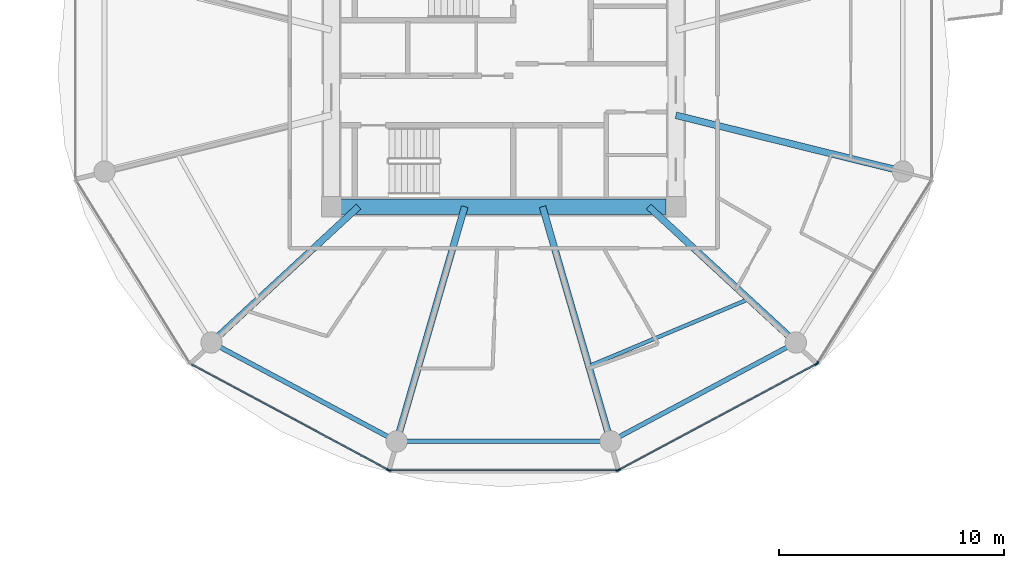
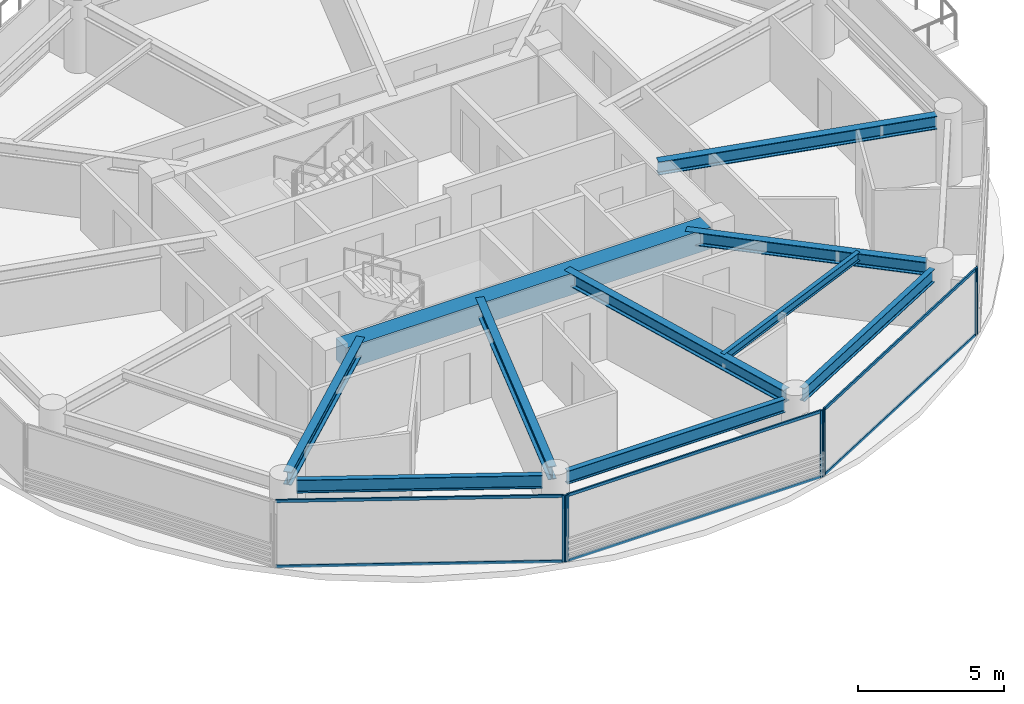
# One storey, part 10 of 26: 12 members, 10 beams, 4 elements without a shape of their own.
"""IFC4 building model written with IfcOpenShell, lengths in metres."""

from ifc_helpers import new_model, si_unit, direction, frame, origin, origin_2d, place, context, subcontext, project, spatial, rectangle, i_section, extrude, source, transform, mapped, material, layer, layer_set, material_profile, profile_set, type_object, type_shapes, element, aggregate, save


model = new_model("IFC4")

# Units and contexts
model_context = context("Model", 3, precision=1e-05, world=origin(), true_north=direction((0.0, 1.0)))
body_context = subcontext(model_context, "Body", "Model", "MODEL_VIEW")
ifc_project = project(units=[si_unit("LENGTHUNIT", "METRE"), si_unit("AREAUNIT", "SQUARE_METRE"), si_unit("VOLUMEUNIT", "CUBIC_METRE"), si_unit("PLANEANGLEUNIT", "RADIAN"), si_unit("MASSUNIT", "GRAM", prefix="KILO")], contexts=[model_context])

# Site, building, storey
site_placement = place(None, origin())
site = spatial("IfcSite", under=ifc_project, at=site_placement, CompositionType="ELEMENT")
building_placement = place(site_placement, origin())
building = spatial("IfcBuilding", under=site, at=building_placement, Name="Norrkilde Senior Care Towers", CompositionType="ELEMENT")
storey_placement = place(building_placement, frame((0.0, 0.0, 55.14990234375)))
storey = spatial("IfcBuildingStorey", under=building, at=storey_placement, Name="L16", CompositionType="ELEMENT", Elevation=55.14990234375)

# Beams
ifc_material_1 = material(Name="Concrete C60/75", Category="concrete")
ifc_material_profile_1 = material_profile(ifc_material_1, rectangle(XDim=0.699951171875, YDim=0.89990234375, at=origin_2d()), Name="RC BM 700x900")
ifc_profile_set_1 = profile_set([ifc_material_profile_1], Name="Concrete C60/75")
beam_type_1 = type_object("IfcBeamType", Name="Core Coupling Girder 700x900", PredefinedType="USERDEFINED", material=ifc_profile_set_1)
shared_shape_1 = source(origin(), body_context, "Body", "SweptSolid", [
    extrude(rectangle(XDim=0.699951171875, YDim=0.89990234375, at=origin_2d()), origin(), (0.0, 0.0, 1.0), 14.43994140625),
])
type_shapes(beam_type_1, [shared_shape_1])
beam_1_placement = place(storey_placement, frame((20.780029296875, -5.949951171875, 2.340087890625), z_axis=(1.0, 0.0, 0.0), x_axis=(0.0, 1.0, 0.0)))
element("IfcBeam", 1, at=beam_1_placement, inside=storey, type_object=beam_type_1, Name="L16 Core E S Coupling Girder", ObjectType="GIRDER", PredefinedType="USERDEFINED", context=body_context, shape_type="MappedRepresentation", body=[
    mapped(shared_shape_1, transform((0.0, 0.0, 0.0), x_axis=(1.0, 0.0, 0.0), y_axis=(0.0, 1.0, 0.0), z_axis=(0.0, 0.0, 1.0), scale=1.0)),
])
ifc_material_2 = material(Name="Steel S355", Category="steel")
ifc_material_profile_2 = material_profile(ifc_material_2, i_section(OverallWidth=0.300048828125, OverallDepth=0.550048828125, WebThickness=0.014892578125, FlangeThickness=0.029052734375, FilletRadius=0.027099609375, at=origin_2d()), Name="HEB 550")
ifc_profile_set_2 = profile_set([ifc_material_profile_2], Name="Steel S355")
beam_type_2 = type_object("IfcBeamType", Name="Radial Floor Beam Z1 HEB550", PredefinedType="BEAM", material=ifc_profile_set_2)
shared_shape_2 = source(origin(), body_context, "Body", "SweptSolid", [
    extrude(i_section(OverallWidth=0.300048828125, OverallDepth=0.550048828125, WebThickness=0.014892578125, FlangeThickness=0.029052734375, FilletRadius=0.027099609375, at=origin_2d()), origin(), (0.0, 0.0, 1.0), 9.94384765625),
])
beam_2_placement = place(storey_placement, frame((35.64990234375, -1.893310546875, 2.51513671875), z_axis=(0.970707425182, -0.240264634718, 0.0), x_axis=(0.240264634718, 0.970707425182, 0.0)))
element("IfcBeam", 2, at=beam_2_placement, inside=storey, type_object=beam_type_2, Name="L16 Drum E Radial Floor Beam 12", PredefinedType="BEAM", context=body_context, shape_type="MappedRepresentation", body=[
    mapped(shared_shape_2, transform((0.0, 0.0, 0.0), x_axis=(1.0, 0.0, 0.0), y_axis=(0.0, 1.0, 0.0), z_axis=(0.0, 0.0, 1.0), scale=1.0)),
])
ifc_material_profile_3 = material_profile(ifc_material_2, i_section(OverallWidth=0.2099609375, OverallDepth=0.550048828125, WebThickness=0.010986328125, FlangeThickness=0.01708984375, FilletRadius=0.02392578125, at=origin_2d()), Name="IPE 550")
ifc_profile_set_3 = profile_set([ifc_material_profile_3], Name="Steel S355")
beam_type_3 = type_object("IfcBeamType", Name="Perimeter Ring Spandrel Z1 IPE550", PredefinedType="SPANDREL", material=ifc_profile_set_3)
shared_shape_3 = source(origin(), body_context, "Body", "SweptSolid", [
    extrude(i_section(OverallWidth=0.2099609375, OverallDepth=0.550048828125, WebThickness=0.010986328125, FlangeThickness=0.01708984375, FilletRadius=0.02392578125, at=origin_2d()), origin(), (0.0, 0.0, 1.0), 8.452880859375),
])
for number, where, z_axis, x_axis, name in (
    (3, (15.408447265625, -12.190185546875, 2.51513671875), (0.882368931134, -0.470558252898, 0.0), (0.470558252898, 0.882368931134, 0.0), "L16 Drum E Perimeter Spandrel 08"),
    (4, (33.133056640625, -16.167724609375, 2.51513671875), (0.882368931134, 0.470558252898, 0.0), (-0.470558252898, 0.882368931134, 0.0), "L16 Drum E Perimeter Spandrel 10"),
):
    element("IfcBeam", number, at=place(storey_placement, frame(where, z_axis=z_axis, x_axis=x_axis)), inside=storey, type_object=beam_type_3, Name=name, PredefinedType="SPANDREL", context=body_context, shape_type="MappedRepresentation", body=[
        mapped(shared_shape_3, transform((0.0, 0.0, 0.0), x_axis=(1.0, 0.0, 0.0), y_axis=(0.0, 1.0, 0.0), z_axis=(0.0, 0.0, 1.0), scale=1.0)),
    ])
shared_shape_4 = source(origin(), body_context, "Body", "SweptSolid", [
    extrude(i_section(OverallWidth=0.300048828125, OverallDepth=0.550048828125, WebThickness=0.014892578125, FlangeThickness=0.029052734375, FilletRadius=0.027099609375, at=origin_2d()), origin(), (0.0, 0.0, 1.0), 8.459716796875),
])
for number, where, z_axis, x_axis, name in (
    (5, (21.55859375, -5.949951171875, 2.51513671875), (-0.734573269108, -0.678529374686, 0.0), (0.678529374686, -0.734573269108, 0.0), "L16 Drum E Radial Floor Beam 08"),
    (6, (34.44140625, -5.949951171875, 2.51513671875), (0.734573269108, -0.678529374686, 0.0), (0.678529374686, 0.734573269108, 0.0), "L16 Drum E Radial Floor Beam 11"),
):
    element("IfcBeam", number, at=place(storey_placement, frame(where, z_axis=z_axis, x_axis=x_axis)), inside=storey, type_object=beam_type_2, Name=name, PredefinedType="BEAM", context=body_context, shape_type="MappedRepresentation", body=[
        mapped(shared_shape_4, transform((0.0, 0.0, 0.0), x_axis=(1.0, 0.0, 0.0), y_axis=(0.0, 1.0, 0.0), z_axis=(0.0, 0.0, 1.0), scale=1.0)),
    ])
shared_shape_5 = source(origin(), body_context, "Body", "SweptSolid", [
    extrude(i_section(OverallWidth=0.2099609375, OverallDepth=0.550048828125, WebThickness=0.010986328125, FlangeThickness=0.01708984375, FilletRadius=0.02392578125, at=origin_2d()), origin(), (0.0, 0.0, 1.0), 8.62841796875),
])
type_shapes(beam_type_3, [shared_shape_3, shared_shape_5])
beam_3_placement = place(storey_placement, frame((23.685791015625, -16.37255859375, 2.51513671875), z_axis=(1.0, 0.0, 0.0), x_axis=(0.0, 1.0, 0.0)))
element("IfcBeam", 7, at=beam_3_placement, inside=storey, type_object=beam_type_3, Name="L16 Drum E Perimeter Spandrel 09", PredefinedType="SPANDREL", context=body_context, shape_type="MappedRepresentation", body=[
    mapped(shared_shape_5, transform((0.0, 0.0, 0.0), x_axis=(1.0, 0.0, 0.0), y_axis=(0.0, 1.0, 0.0), z_axis=(0.0, 0.0, 1.0), scale=1.0)),
])
shared_shape_6 = source(origin(), body_context, "Body", "SweptSolid", [
    extrude(i_section(OverallWidth=0.300048828125, OverallDepth=0.550048828125, WebThickness=0.014892578125, FlangeThickness=0.029052734375, FilletRadius=0.027099609375, at=origin_2d()), origin(), (0.0, 0.0, 1.0), 10.4169921875),
])
type_shapes(beam_type_2, [shared_shape_2, shared_shape_4, shared_shape_6])
for number, where, z_axis, x_axis, name in (
    (8, (26.27392578125, -5.949951171875, 2.51513671875), (-0.278591250785, -0.960409764104, 0.0), (0.960409764104, -0.278591250785, 0.0), "L16 Drum E Radial Floor Beam 09"),
    (9, (29.72607421875, -5.949951171875, 2.51513671875), (0.278591250785, -0.960409764104, 0.0), (0.960409764104, 0.278591250785, 0.0), "L16 Drum E Radial Floor Beam 10"),
):
    element("IfcBeam", number, at=place(storey_placement, frame(where, z_axis=z_axis, x_axis=x_axis)), inside=storey, type_object=beam_type_2, Name=name, PredefinedType="BEAM", context=body_context, shape_type="MappedRepresentation", body=[
        mapped(shared_shape_6, transform((0.0, 0.0, 0.0), x_axis=(1.0, 0.0, 0.0), y_axis=(0.0, 1.0, 0.0), z_axis=(0.0, 0.0, 1.0), scale=1.0)),
    ])
ifc_material_profile_4 = material_profile(ifc_material_2, i_section(OverallWidth=0.169921875, OverallDepth=0.360107421875, WebThickness=0.008056640625, FlangeThickness=0.0126953125, FilletRadius=0.01806640625, at=origin_2d()), Name="IPE 360")
ifc_profile_set_4 = profile_set([ifc_material_profile_4], Name="Steel S355")
beam_type_4 = type_object("IfcBeamType", Name="Secondary Floor Joist IPE360", PredefinedType="JOIST", material=ifc_profile_set_4)
shared_shape_7 = source(origin(), body_context, "Body", "SweptSolid", [
    extrude(i_section(OverallWidth=0.169921875, OverallDepth=0.360107421875, WebThickness=0.008056640625, FlangeThickness=0.0126953125, FilletRadius=0.01806640625, at=origin_2d()), origin(), (0.0, 0.0, 1.0), 7.703857421875),
])
type_shapes(beam_type_4, [shared_shape_7])
beam_4_placement = place(storey_placement, frame((31.78173828125, -13.037353515625, 2.610107421875), z_axis=(0.921982784465, 0.387230868023, 0.0), x_axis=(-0.387230868023, 0.921982784465, 0.0)))
element("IfcBeam", 10, at=beam_4_placement, inside=storey, type_object=beam_type_4, Name="L16 Drum E Secondary Floor Joist 4", PredefinedType="JOIST", context=body_context, shape_type="MappedRepresentation", body=[
    mapped(shared_shape_7, transform((0.0, 0.0, 0.0), x_axis=(1.0, 0.0, 0.0), y_axis=(0.0, 1.0, 0.0), z_axis=(0.0, 0.0, 1.0), scale=1.0)),
])

# Curtain wall, member
ifc_material_3 = material(Name="Triple Low-E Insulated Glazing", Category="glass")
ifc_layer = layer(ifc_material_3, 0.199951171875)
ifc_layer_set = layer_set([ifc_layer], Name="Triple Low-E Insulated Glazing")
curtain_wall_type = type_object("IfcCurtainWallType", Name="CW2 Zone 1 Memory Care Curtain Wall", PredefinedType="NOTDEFINED", material=ifc_layer_set)
curtain_wall_1_placement = place(storey_placement, origin())
curtain_wall_1 = element("IfcCurtainWall", 11, at=curtain_wall_1_placement, inside=storey, type_object=curtain_wall_type, Name="L16 Drum E Curtain Wall 07", PredefinedType="NOTDEFINED")
ifc_material_4 = material(Name="Anodised Aluminium", Category="aluminium")
ifc_material_profile_5 = material_profile(ifc_material_4, rectangle(XDim=0.06494140625, YDim=0.159912109375, at=origin_2d()), Name="ALU MULL 65x160")
ifc_profile_set_5 = profile_set([ifc_material_profile_5], Name="Anodised Aluminium")
member_type_1 = type_object("IfcMemberType", Name="Curtain Wall Mullion Z1-Z2 65x160", PredefinedType="MULLION", material=ifc_profile_set_5)
shared_shape_8 = source(origin(), body_context, "Body", "SweptSolid", [
    extrude(rectangle(XDim=0.06494140625, YDim=0.159912109375, at=origin_2d()), origin(), (0.0, 0.0, 1.0), 2.7900390625),
])
type_shapes(member_type_1, [shared_shape_8])
member_1_placement = place(storey_placement, frame((22.877685546875, -17.641845703125, 0.0), z_axis=(0.0, 0.0, 1.0), x_axis=(-0.472607802456, -0.881272866403, 0.0)))
member_1 = element("IfcMember", 12, at=member_1_placement, type_object=member_type_1, Name="CW-2 mullion 1", PredefinedType="MULLION", context=body_context, shape_type="MappedRepresentation", body=[
    mapped(shared_shape_8, transform((0.0, 0.0, 0.0), x_axis=(1.0, 0.0, 0.0), y_axis=(0.0, 1.0, 0.0), z_axis=(0.0, 0.0, 1.0), scale=1.0)),
])

# Curtain wall, members
curtain_wall_2_placement = place(storey_placement, origin())
curtain_wall_2 = element("IfcCurtainWall", 13, at=curtain_wall_2_placement, inside=storey, type_object=curtain_wall_type, Name="L16 Drum E Curtain Wall 08", PredefinedType="NOTDEFINED")
member_2_placement = place(storey_placement, frame((33.06103515625, -17.6572265625, 0.0), z_axis=(0.0, 0.0, 1.0), x_axis=(0.0, -1.0, 0.0)))
member_2 = element("IfcMember", 14, at=member_2_placement, type_object=member_type_1, Name="CW-2 mullion 1", PredefinedType="MULLION", context=body_context, shape_type="MappedRepresentation", body=[
    mapped(shared_shape_8, transform((0.0, 0.0, 0.0), x_axis=(1.0, 0.0, 0.0), y_axis=(0.0, 1.0, 0.0), z_axis=(0.0, 0.0, 1.0), scale=1.0)),
])
member_3_placement = place(storey_placement, frame((22.93896484375, -17.6572265625, 0.0), z_axis=(0.0, 0.0, 1.0), x_axis=(0.0, -1.0, 0.0)))
member_3 = element("IfcMember", 15, at=member_3_placement, type_object=member_type_1, Name="CW-2 mullion 2", PredefinedType="MULLION", context=body_context, shape_type="MappedRepresentation", body=[
    mapped(shared_shape_8, transform((0.0, 0.0, 0.0), x_axis=(1.0, 0.0, 0.0), y_axis=(0.0, 1.0, 0.0), z_axis=(0.0, 0.0, 1.0), scale=1.0)),
])

curtain_wall_3_placement = place(storey_placement, origin())
curtain_wall_3 = element("IfcCurtainWall", 16, at=curtain_wall_3_placement, inside=storey, type_object=curtain_wall_type, Name="L16 Drum E Curtain Wall 09", PredefinedType="NOTDEFINED")
member_4_placement = place(storey_placement, frame((41.88720703125, -12.941162109375, 0.0), z_axis=(0.0, 0.0, 1.0), x_axis=(0.472607802456, -0.881272866403, 0.0)))
member_4 = element("IfcMember", 17, at=member_4_placement, type_object=member_type_1, Name="CW-2 mullion 1", PredefinedType="MULLION", context=body_context, shape_type="MappedRepresentation", body=[
    mapped(shared_shape_8, transform((0.0, 0.0, 0.0), x_axis=(1.0, 0.0, 0.0), y_axis=(0.0, 1.0, 0.0), z_axis=(0.0, 0.0, 1.0), scale=1.0)),
])
member_5_placement = place(storey_placement, frame((33.122314453125, -17.641845703125, 0.0), z_axis=(0.0, 0.0, 1.0), x_axis=(0.472607802456, -0.881272866403, 0.0)))
member_5 = element("IfcMember", 18, at=member_5_placement, type_object=member_type_1, Name="CW-2 mullion 2", PredefinedType="MULLION", context=body_context, shape_type="MappedRepresentation", body=[
    mapped(shared_shape_8, transform((0.0, 0.0, 0.0), x_axis=(1.0, 0.0, 0.0), y_axis=(0.0, 1.0, 0.0), z_axis=(0.0, 0.0, 1.0), scale=1.0)),
])

# Curtain wall, member
curtain_wall_4_placement = place(storey_placement, origin())
curtain_wall_4 = element("IfcCurtainWall", 19, at=curtain_wall_4_placement, inside=storey, type_object=curtain_wall_type, Name="L16 Drum E Curtain Wall 10", PredefinedType="NOTDEFINED")
member_6_placement = place(storey_placement, frame((41.93310546875, -12.898193359375, 0.0), z_axis=(0.0, 0.0, 1.0), x_axis=(0.849305943117, -0.527900951871, 0.0)))
member_6 = element("IfcMember", 20, at=member_6_placement, type_object=member_type_1, Name="CW-2 mullion 2", PredefinedType="MULLION", context=body_context, shape_type="MappedRepresentation", body=[
    mapped(shared_shape_8, transform((0.0, 0.0, 0.0), x_axis=(1.0, 0.0, 0.0), y_axis=(0.0, 1.0, 0.0), z_axis=(0.0, 0.0, 1.0), scale=1.0)),
])
aggregate(curtain_wall_4, [member_6])

# Member
ifc_material_profile_6 = material_profile(ifc_material_4, rectangle(XDim=0.06005859375, YDim=0.1201171875, at=origin_2d()), Name="ALU TRAN 60x120")
ifc_profile_set_6 = profile_set([ifc_material_profile_6], Name="Anodised Aluminium")
member_type_2 = type_object("IfcMemberType", Name="Curtain Wall Transom Typical 60x120", PredefinedType="USERDEFINED", material=ifc_profile_set_6)
shared_shape_9 = source(origin(), body_context, "Body", "SweptSolid", [
    extrude(rectangle(XDim=0.06005859375, YDim=0.1201171875, at=origin_2d()), origin(), (0.0, 0.0, 1.0), 9.880859375),
])
member_7_placement = place(storey_placement, frame((22.84912109375, -17.62646484375, 0.030029296875), z_axis=(-0.881267204043, 0.47261836092, 0.0), x_axis=(-0.47261836092, -0.881267204043, 0.0)))
member_7 = element("IfcMember", 21, at=member_7_placement, type_object=member_type_2, Name="CW-2 transom 1.1", ObjectType="TRANSOM", PredefinedType="USERDEFINED", context=body_context, shape_type="MappedRepresentation", body=[
    mapped(shared_shape_9, transform((0.0, 0.0, 0.0), x_axis=(1.0, 0.0, 0.0), y_axis=(0.0, 1.0, 0.0), z_axis=(0.0, 0.0, 1.0), scale=1.0)),
])

member_8_placement = place(storey_placement, frame((22.84912109375, -17.62646484375, 2.760009765625), z_axis=(-0.881267204043, 0.47261836092, 0.0), x_axis=(-0.47261836092, -0.881267204043, 0.0)))
member_8 = element("IfcMember", 22, at=member_8_placement, type_object=member_type_2, Name="CW-2 transom 1.2", ObjectType="TRANSOM", PredefinedType="USERDEFINED", context=body_context, shape_type="MappedRepresentation", body=[
    mapped(shared_shape_9, transform((0.0, 0.0, 0.0), x_axis=(1.0, 0.0, 0.0), y_axis=(0.0, 1.0, 0.0), z_axis=(0.0, 0.0, 1.0), scale=1.0)),
])

aggregate(curtain_wall_1, [member_1, member_7, member_8])

member_9_placement = place(storey_placement, frame((41.858642578125, -12.95654296875, 0.030029296875), z_axis=(-0.881267204043, -0.47261836092, 0.0), x_axis=(0.47261836092, -0.881267204043, 0.0)))
member_9 = element("IfcMember", 23, at=member_9_placement, type_object=member_type_2, Name="CW-2 transom 1.1", ObjectType="TRANSOM", PredefinedType="USERDEFINED", context=body_context, shape_type="MappedRepresentation", body=[
    mapped(shared_shape_9, transform((0.0, 0.0, 0.0), x_axis=(1.0, 0.0, 0.0), y_axis=(0.0, 1.0, 0.0), z_axis=(0.0, 0.0, 1.0), scale=1.0)),
])

member_10_placement = place(storey_placement, frame((41.858642578125, -12.95654296875, 2.760009765625), z_axis=(-0.881267204043, -0.47261836092, 0.0), x_axis=(0.47261836092, -0.881267204043, 0.0)))
member_10 = element("IfcMember", 24, at=member_10_placement, type_object=member_type_2, Name="CW-2 transom 1.2", ObjectType="TRANSOM", PredefinedType="USERDEFINED", context=body_context, shape_type="MappedRepresentation", body=[
    mapped(shared_shape_9, transform((0.0, 0.0, 0.0), x_axis=(1.0, 0.0, 0.0), y_axis=(0.0, 1.0, 0.0), z_axis=(0.0, 0.0, 1.0), scale=1.0)),
])

aggregate(curtain_wall_3, [member_4, member_5, member_9, member_10])

shared_shape_10 = source(origin(), body_context, "Body", "SweptSolid", [
    extrude(rectangle(XDim=0.06005859375, YDim=0.1201171875, at=origin_2d()), origin(), (0.0, 0.0, 1.0), 10.05712890625),
])
type_shapes(member_type_2, [shared_shape_9, shared_shape_10])
member_11_placement = place(storey_placement, frame((33.028564453125, -17.6572265625, 0.030029296875), z_axis=(-1.0, 0.0, 0.0), x_axis=(0.0, -1.0, 0.0)))
member_11 = element("IfcMember", 25, at=member_11_placement, type_object=member_type_2, Name="CW-2 transom 1.1", ObjectType="TRANSOM", PredefinedType="USERDEFINED", context=body_context, shape_type="MappedRepresentation", body=[
    mapped(shared_shape_10, transform((0.0, 0.0, 0.0), x_axis=(1.0, 0.0, 0.0), y_axis=(0.0, 1.0, 0.0), z_axis=(0.0, 0.0, 1.0), scale=1.0)),
])

member_12_placement = place(storey_placement, frame((33.028564453125, -17.6572265625, 2.760009765625), z_axis=(-1.0, 0.0, 0.0), x_axis=(0.0, -1.0, 0.0)))
member_12 = element("IfcMember", 26, at=member_12_placement, type_object=member_type_2, Name="CW-2 transom 1.2", ObjectType="TRANSOM", PredefinedType="USERDEFINED", context=body_context, shape_type="MappedRepresentation", body=[
    mapped(shared_shape_10, transform((0.0, 0.0, 0.0), x_axis=(1.0, 0.0, 0.0), y_axis=(0.0, 1.0, 0.0), z_axis=(0.0, 0.0, 1.0), scale=1.0)),
])

aggregate(curtain_wall_2, [member_2, member_3, member_11, member_12])

save(model, "model.ifc")
